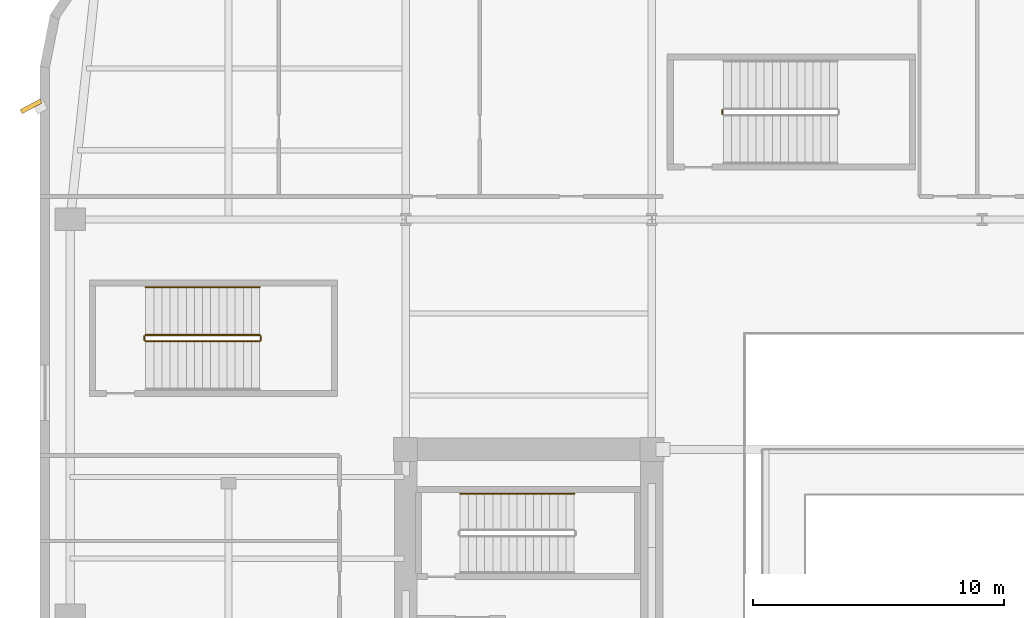
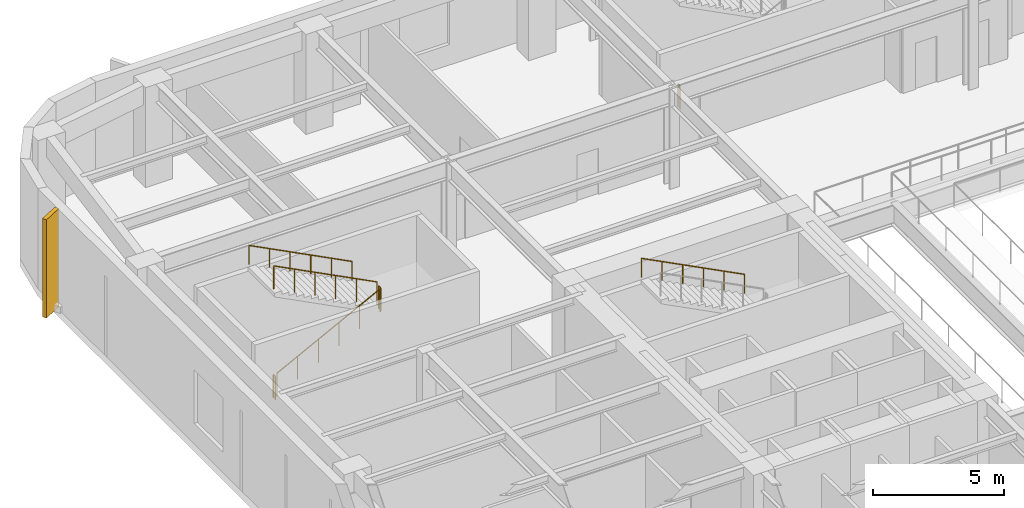
# One storey, part 17 of 21: 7 railings, 1 shading device.
"""IFC4 building model written with IfcOpenShell, lengths in metres."""

import ifcopenshell
import ifcopenshell.guid

model = None  # the IFC model being written
_history = None  # IfcOwnerHistory: only IFC2X3 demands one
_inside = {}  # id of a spatial element -> (the spatial element, [elements in it])
_under = {}  # id of a project, library or spatial element -> (it, [spatial elements below it])
_declared = {}  # id of a project -> (the project, [libraries it declares])
_typed = {}  # id of a type object -> (the type object, [elements of that type])
_made_of = {}  # id of a material, layer set ... -> (it, [elements and type objects made of it])


def new_model(schema):
    """Start an empty IFC model of exactly this schema.

    Asked for "IFC4X3", IfcOpenShell would pick the latest addendum, in which some entities
    have other attributes; the version numbers below select the first issue.
    IFC2X3 requires an IfcOwnerHistory on every rooted entity: one is made here for all.
    """
    global model, _history
    if schema == "IFC4X3":
        model = ifcopenshell.file(schema_version=(4, 3, 0, 0))
    else:
        model = ifcopenshell.file(schema=schema)
    _inside.clear()
    _under.clear()
    _declared.clear()
    _typed.clear()
    _made_of.clear()
    _history = None
    if model.schema == "IFC2X3":
        org = make("IfcOrganization", Name="unknown")
        user = make(
            "IfcPersonAndOrganization",
            ThePerson=make("IfcPerson", FamilyName="unknown"),
            TheOrganization=org,
        )
        app = make(
            "IfcApplication",
            ApplicationDeveloper=org,
            Version="unknown",
            ApplicationFullName="unknown",
            ApplicationIdentifier="unknown",
        )
        _history = make(
            "IfcOwnerHistory",
            OwningUser=user,
            OwningApplication=app,
            ChangeAction="ADDED",
            CreationDate=0,
        )
    return model


def make(cls, **values):
    """One entity of the class cls with the attributes given. An attribute that is None is left unset."""
    return model.create_entity(
        cls, **{name: value for name, value in values.items() if value is not None}
    )


def rooted(cls, **values):
    """An entity with a GlobalId (a new one), such as an element, a storey or a relation."""
    return make(cls, GlobalId=ifcopenshell.guid.new(), OwnerHistory=_history, **values)


def si_unit(unit_type, name, prefix=None):
    """IfcSIUnit, for example si_unit("LENGTHUNIT", "METRE", prefix="MILLI")."""
    return make("IfcSIUnit", UnitType=unit_type, Prefix=prefix, Name=name)


def assignment(units):
    """IfcUnitAssignment: the units of a project."""
    return None if units is None else make("IfcUnitAssignment", Units=units)


def point(xyz):
    """IfcCartesianPoint."""
    return None if xyz is None else make("IfcCartesianPoint", Coordinates=xyz)


def direction(xyz):
    """IfcDirection."""
    return None if xyz is None else make("IfcDirection", DirectionRatios=xyz)


def frame(location, z_axis=None, x_axis=None):
    """IfcAxis2Placement3D, a coordinate frame: its origin and axes. An axis left out is left unset."""
    return make(
        "IfcAxis2Placement3D",
        Location=point(location),
        Axis=direction(z_axis),
        RefDirection=direction(x_axis),
    )


def frame_2d(location, x_axis=None):
    """IfcAxis2Placement2D, a coordinate frame in the plane: its origin and x axis."""
    return make(
        "IfcAxis2Placement2D", Location=point(location), RefDirection=direction(x_axis)
    )


def origin():
    """The frame at (0, 0, 0) with its axes left unset."""
    return frame((0.0, 0.0, 0.0))


def origin_2d():
    """The frame at (0, 0) in the plane with its x axis left unset."""
    return frame_2d((0.0, 0.0))


def place(relative_to, where):
    """IfcLocalPlacement: puts the frame where relative to a parent placement (None: the world)."""
    return make(
        "IfcLocalPlacement", PlacementRelTo=relative_to, RelativePlacement=where
    )


def context(
    kind, dimensions, precision=None, world=None, true_north=None, identifier=None
):
    """IfcGeometricRepresentationContext, for example the 3D "Model" context."""
    return make(
        "IfcGeometricRepresentationContext",
        ContextIdentifier=identifier,
        ContextType=kind,
        CoordinateSpaceDimension=dimensions,
        Precision=precision,
        WorldCoordinateSystem=world,
        TrueNorth=true_north,
    )


def subcontext(parent, identifier, kind, view, scale=None):
    """IfcGeometricRepresentationSubContext, for example "Body" below "Model"."""
    return make(
        "IfcGeometricRepresentationSubContext",
        ContextIdentifier=identifier,
        ContextType=kind,
        ParentContext=parent,
        TargetScale=scale,
        TargetView=view,
    )


def project(units=None, contexts=None):
    """IfcProject with its units and contexts."""
    return rooted(
        "IfcProject",
        Name="project",
        RepresentationContexts=contexts,
        UnitsInContext=assignment(units),
    )


def spatial(cls, under=None, at=None, **own):
    """A site, building, storey or space (cls), placed at a placement, below another one or the project."""
    s = rooted(cls, ObjectPlacement=at, **own)
    if under is not None:
        _under.setdefault(under.id(), (under, []))[1].append(s)
    return s


def profile(cls, at=None, kind="AREA", **sizes):
    """A parametric profile (cls). Its sizes go by their IFC names, for example OverallWidth=200.0."""
    return make(cls, ProfileType=kind, Position=at, **sizes)


def rectangle(**sizes):
    """IfcRectangleProfileDef."""
    return profile("IfcRectangleProfileDef", **sizes)


def circle(**sizes):
    """IfcCircleProfileDef."""
    return profile("IfcCircleProfileDef", **sizes)


def extrude(swept, where, along, depth):
    """IfcExtrudedAreaSolid: the profile swept, set in the frame where, extruded along a direction by depth."""
    return make(
        "IfcExtrudedAreaSolid",
        SweptArea=swept,
        Position=where,
        ExtrudedDirection=direction(along),
        Depth=depth,
    )


def shape(context_of_items, identifier, shape_type, items):
    """IfcShapeRepresentation: the items that make up one representation, for example the "Body"."""
    return make(
        "IfcShapeRepresentation",
        ContextOfItems=context_of_items,
        RepresentationIdentifier=identifier,
        RepresentationType=shape_type,
        Items=items,
    )


def material(Name=None, Category=None):
    """IfcMaterial."""
    return make("IfcMaterial", Name=Name, Category=Category)


def made_of(thing, what):
    """Note that an element or type object is made of a material, layer set ...; save() writes the relation."""
    if what is not None:
        _made_of.setdefault(what.id(), (what, []))[1].append(thing)
    return thing


def type_object(cls, material=None, **own):
    """A type object (cls), such as IfcWallType, which elements share."""
    return made_of(rooted(cls, **own), material)


def element(
    cls,
    number,
    at=None,
    inside=None,
    cuts=None,
    type_object=None,
    material=None,
    context=None,
    identifier="Body",
    shape_type=None,
    held_by="IfcProductDefinitionShape",
    body=None,
    shapes=None,
    **own,
):
    """One element of the class cls, such as IfcWall. Its Tag is "e" and its number.

    at: its placement. inside: the storey or other place that contains it. cuts: it is an
    opening in that element (IfcRelVoidsElement). A single representation is given by context,
    identifier, shape_type and body (its items); several are given by shapes. held_by: the class
    of the entity that holds the representations. save() writes the other relations.
    """
    e = rooted(cls, Tag="e%d" % number, ObjectPlacement=at, **own)
    if body is not None:
        shapes = [shape(context, identifier, shape_type, body)]
    if shapes is not None:
        e.Representation = make(held_by, Representations=shapes)
    if inside is not None:
        _inside.setdefault(inside.id(), (inside, []))[1].append(e)
    if cuts is not None:
        rooted(
            "IfcRelVoidsElement", RelatingBuildingElement=cuts, RelatedOpeningElement=e
        )
    if type_object is not None:
        _typed.setdefault(type_object.id(), (type_object, []))[1].append(e)
    return made_of(e, material)


def aggregate(whole, parts):
    """IfcRelAggregates: a whole, such as a stair, and the parts it consists of."""
    return rooted("IfcRelAggregates", RelatingObject=whole, RelatedObjects=parts)


def save(model, path):
    """Write the relations noted so far, then the file.

    IfcRelAggregates (storeys below a building ...), IfcRelContainedInSpatialStructure (elements
    in a storey), IfcRelDefinesByType, IfcRelAssociatesMaterial and IfcRelDeclares: one each for
    every whole, place, type object, material and project.
    """
    for whole, parts in _under.values():
        aggregate(whole, parts)
    for where, things in _inside.values():
        rooted(
            "IfcRelContainedInSpatialStructure",
            RelatedElements=things,
            RelatingStructure=where,
        )
    for kind, things in _typed.values():
        rooted("IfcRelDefinesByType", RelatedObjects=things, RelatingType=kind)
    for what, things in _made_of.values():
        rooted("IfcRelAssociatesMaterial", RelatedObjects=things, RelatingMaterial=what)
    for by, libraries in _declared.values():
        rooted("IfcRelDeclares", RelatingContext=by, RelatedDefinitions=libraries)
    model.write(path)


model = new_model("IFC4")

# Units and contexts
model_context = context("Model", 3, precision=1e-05, world=origin(), true_north=direction((0.0, 1.0)))
body_context = subcontext(model_context, "Body", "Model", "MODEL_VIEW")
ifc_project = project(units=[si_unit("LENGTHUNIT", "METRE"), si_unit("AREAUNIT", "SQUARE_METRE"), si_unit("VOLUMEUNIT", "CUBIC_METRE"), si_unit("PLANEANGLEUNIT", "RADIAN"), si_unit("MASSUNIT", "GRAM", prefix="KILO")], contexts=[model_context])

# Site, building, storey
site_placement = place(None, origin())
site = spatial("IfcSite", under=ifc_project, at=site_placement, CompositionType="ELEMENT")
building_placement = place(site_placement, origin())
building = spatial("IfcBuilding", under=site, at=building_placement, Name="Kolvaren Arena Tower", CompositionType="ELEMENT")
storey_placement = place(building_placement, frame((0.0, 0.0, 18.0)))
storey = spatial("IfcBuildingStorey", under=building, at=storey_placement, Name="L03", CompositionType="ELEMENT", Elevation=18.0)

# Railings
ifc_material_1 = material(Name="Painted galvanized steel", Category="steel")
railing_type_1 = type_object("IfcRailingType", Name="GUARD-ST-110", PredefinedType="GUARDRAIL", material=ifc_material_1)
railing_1_placement = place(storey_placement, frame((4.199951171875, 38.14990234375, 0.166748046875)))
element("IfcRailing", 1, at=railing_1_placement, inside=storey, type_object=railing_type_1, Name="L03 ST-A5 stair guard 1", PredefinedType="GUARDRAIL", context=body_context, shape_type="SweptSolid", body=[
    extrude(circle(Radius=0.02392578125, at=origin_2d()), frame((0.0, 0.0, 1.076171875), z_axis=(0.889257211316, 0.0, 0.457407490234), x_axis=(0.0, 1.0, 0.0)), (0.0, 0.0, 1.0), 5.10107421875),
    extrude(circle(Radius=0.02099609375, at=origin_2d()), origin(), (0.0, 0.0, 1.0), 1.052001953125),
    extrude(circle(Radius=0.02099609375, at=origin_2d()), frame((0.9072265625, 0.0, 0.466552734375)), (0.0, 0.0, 1.0), 1.052001953125),
    extrude(circle(Radius=0.02099609375, at=origin_2d()), frame((1.814453125, 0.0, 0.933349609375)), (0.0, 0.0, 1.0), 1.052001953125),
    extrude(circle(Radius=0.02099609375, at=origin_2d()), frame((2.7216796875, 0.0, 1.39990234375)), (0.0, 0.0, 1.0), 1.052001953125),
    extrude(circle(Radius=0.02099609375, at=origin_2d()), frame((3.62890625, 0.0, 1.86669921875)), (0.0, 0.0, 1.0), 1.052001953125),
    extrude(circle(Radius=0.02099609375, at=origin_2d()), frame((4.5361328125, 0.0, 2.333251953125)), (0.0, 0.0, 1.0), 1.052001953125),
])
railing_2_placement = place(storey_placement, frame((8.785888671875, 38.199951171875, 2.5)))
element("IfcRailing", 2, at=railing_2_placement, inside=storey, type_object=railing_type_1, Name="L03 ST-A5 stair guard 2", PredefinedType="GUARDRAIL", context=body_context, shape_type="SweptSolid", body=[
    extrude(circle(Radius=0.02392578125, at=origin_2d()), frame((0.0, 0.0, 1.076171875), z_axis=(0.0, 1.0, 0.0), x_axis=(-1.0, 0.0, 0.0)), (0.0, 0.0, 1.0), 0.150146484375),
    extrude(circle(Radius=0.02099609375, at=origin_2d()), origin(), (0.0, 0.0, 1.0), 1.052001953125),
    extrude(circle(Radius=0.02099609375, at=origin_2d()), frame((0.0, 0.150146484375, 0.0)), (0.0, 0.0, 1.0), 1.052001953125),
])
railing_3_placement = place(storey_placement, frame((8.736083984375, 38.39990234375, 2.666748046875)))
element("IfcRailing", 3, at=railing_3_placement, inside=storey, type_object=railing_type_1, Name="L03 ST-A5 stair guard 3", PredefinedType="GUARDRAIL", context=body_context, shape_type="SweptSolid", body=[
    extrude(circle(Radius=0.02392578125, at=origin_2d()), frame((0.0, 0.0, 1.076171875), z_axis=(-0.889257211316, 0.0, 0.457407490234), x_axis=(0.0, -1.0, 0.0)), (0.0, 0.0, 1.0), 5.10107421875),
    extrude(circle(Radius=0.02099609375, at=origin_2d()), origin(), (0.0, 0.0, 1.0), 1.052001953125),
    extrude(circle(Radius=0.02099609375, at=origin_2d()), frame((-0.9072265625, 0.0, 0.466552734375)), (0.0, 0.0, 1.0), 1.052001953125),
    extrude(circle(Radius=0.02099609375, at=origin_2d()), frame((-1.814453125, 0.0, 0.933349609375)), (0.0, 0.0, 1.0), 1.052001953125),
    extrude(circle(Radius=0.02099609375, at=origin_2d()), frame((-2.7216796875, 0.0, 1.39990234375)), (0.0, 0.0, 1.0), 1.052001953125),
    extrude(circle(Radius=0.02099609375, at=origin_2d()), frame((-3.62890625, 0.0, 1.86669921875)), (0.0, 0.0, 1.0), 1.052001953125),
    extrude(circle(Radius=0.02099609375, at=origin_2d()), frame((-4.5361328125, 0.0, 2.333251953125)), (0.0, 0.0, 1.0), 1.052001953125),
])
for number, where, name in (
    (4, (4.14990234375, 38.199951171875, 0.0), "L03 ST-A5 stair guard 4"),
    (5, (27.14990234375, 47.199951171875, 0.0), "L03 ST-A6 stair guard 4"),
):
    element("IfcRailing", number, at=place(storey_placement, frame(where)), inside=storey, type_object=railing_type_1, Name=name, PredefinedType="GUARDRAIL", context=body_context, shape_type="SweptSolid", body=[
        extrude(circle(Radius=0.02392578125, at=origin_2d()), frame((0.0, 0.0, 1.076171875), z_axis=(0.0, 1.0, 0.0), x_axis=(-1.0, 0.0, 0.0)), (0.0, 0.0, 1.0), 0.150146484375),
        extrude(circle(Radius=0.02099609375, at=origin_2d()), origin(), (0.0, 0.0, 1.0), 1.052001953125),
        extrude(circle(Radius=0.02099609375, at=origin_2d()), frame((0.0, 0.150146484375, 0.0)), (0.0, 0.0, 1.0), 1.052001953125),
    ])
ifc_material_2 = material(Name="Brushed stainless steel handrail", Category="steel")
railing_type_2 = type_object("IfcRailingType", Name="HRAIL-900", PredefinedType="HANDRAIL", material=ifc_material_2)
for number, where, name in (
    (6, (21.256103515625, 32.080078125, 2.666748046875), "L03 ST-W1 stair handrail 2"),
    (7, (8.736083984375, 40.300048828125, 2.666748046875), "L03 ST-A5 stair handrail 2"),
):
    element("IfcRailing", number, at=place(storey_placement, frame(where)), inside=storey, type_object=railing_type_2, Name=name, PredefinedType="HANDRAIL", context=body_context, shape_type="SweptSolid", body=[
        extrude(circle(Radius=0.02392578125, at=origin_2d()), frame((0.0, 0.0, 0.8759765625), z_axis=(-0.889257211316, 0.0, 0.457407490234), x_axis=(0.0, -1.0, 0.0)), (0.0, 0.0, 1.0), 5.10107421875),
        extrude(circle(Radius=0.02099609375, at=origin_2d()), origin(), (0.0, 0.0, 1.0), 0.851806640625),
        extrude(circle(Radius=0.02099609375, at=origin_2d()), frame((-0.9072265625, 0.0, 0.466552734375)), (0.0, 0.0, 1.0), 0.851806640625),
        extrude(circle(Radius=0.02099609375, at=origin_2d()), frame((-1.814453125, 0.0, 0.933349609375)), (0.0, 0.0, 1.0), 0.851806640625),
        extrude(circle(Radius=0.02099609375, at=origin_2d()), frame((-2.7216796875, 0.0, 1.39990234375)), (0.0, 0.0, 1.0), 0.851806640625),
        extrude(circle(Radius=0.02099609375, at=origin_2d()), frame((-3.62890625, 0.0, 1.86669921875)), (0.0, 0.0, 1.0), 0.851806640625),
        extrude(circle(Radius=0.02099609375, at=origin_2d()), frame((-4.5361328125, 0.0, 2.333251953125)), (0.0, 0.0, 1.0), 0.851806640625),
    ])

# Shading device
ifc_material_3 = material(Name="Precast architectural concrete C50/60 rib fin", Category="concrete")
shading_device_type = type_object("IfcShadingDeviceType", Name="SHAD-FIN-28", PredefinedType="USERDEFINED", material=ifc_material_3)
shading_device_placement = place(storey_placement, frame((-0.360107421875, 47.5, 0.02001953125), z_axis=(0.0, 0.0, 1.0), x_axis=(-0.882947592859, -0.469471562786, 0.0)))
element("IfcShadingDevice", 8, at=shading_device_placement, inside=storey, type_object=shading_device_type, Name="Arena Podium 28-Deg Precast Fin (L03)", ObjectType="FIN", PredefinedType="USERDEFINED", context=body_context, shape_type="SweptSolid", body=[
    extrude(rectangle(XDim=0.89990234375, YDim=0.179931640625, at=origin_2d()), origin(), (0.0, 0.0, 1.0), 4.570068359375),
])

save(model, "model.ifc")
